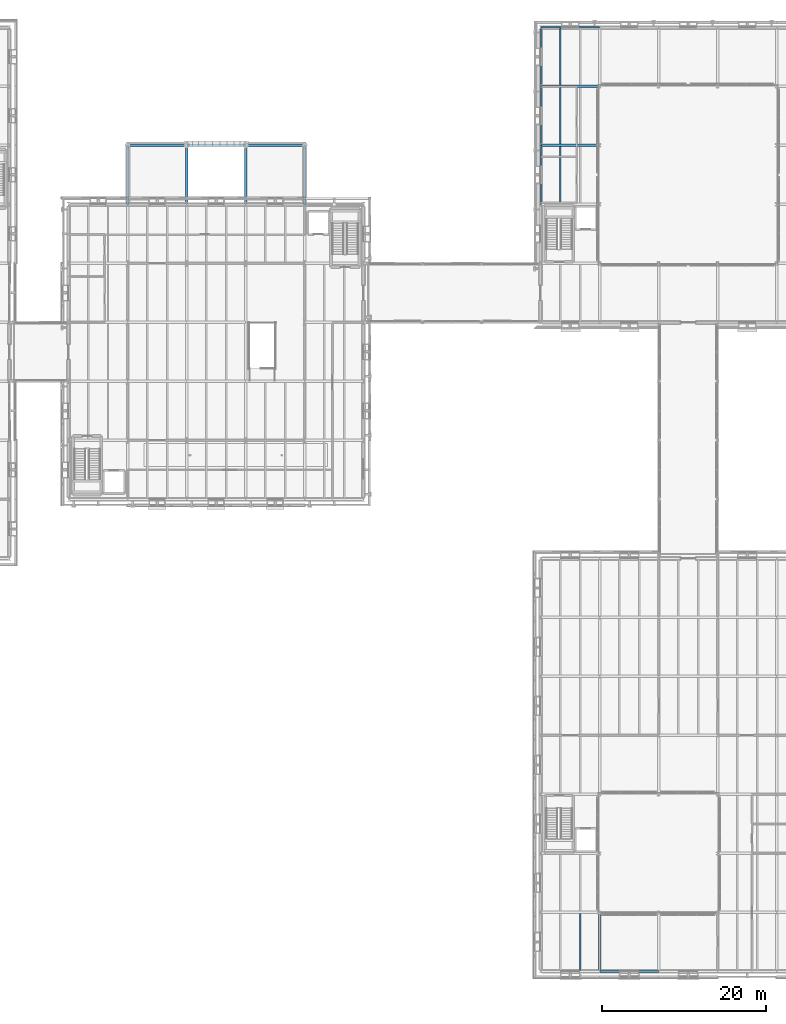
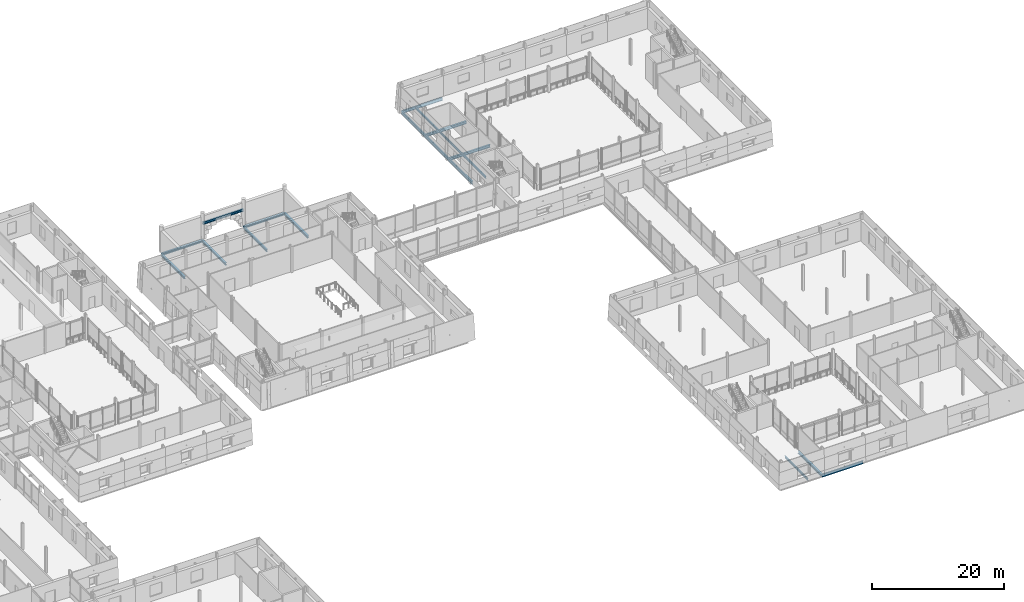
# One storey, part 37 of 121: 19 beams.
"""IFC4 building model written with IfcOpenShell, lengths in metres."""

from ifc_helpers import new_model, si_unit, direction, frame, origin, origin_2d, place, context, subcontext, project, spatial, i_section, extrude, material, material_profile, profile_set, type_object, element, save


model = new_model("IFC4")

# Units and contexts
model_context = context("Model", 3, precision=1e-05, world=origin(), true_north=direction((0.0, 1.0)))
body_context = subcontext(model_context, "Body", "Model", "MODEL_VIEW")
ifc_project = project(units=[si_unit("LENGTHUNIT", "METRE"), si_unit("AREAUNIT", "SQUARE_METRE"), si_unit("VOLUMEUNIT", "CUBIC_METRE"), si_unit("PLANEANGLEUNIT", "RADIAN"), si_unit("MASSUNIT", "GRAM", prefix="KILO")], contexts=[model_context])

# Site, building, storey
site_placement = place(None, origin())
site = spatial("IfcSite", under=ifc_project, at=site_placement, CompositionType="ELEMENT")
building_placement = place(site_placement, origin())
building = spatial("IfcBuilding", under=site, at=building_placement, Name="Narikvali Park Central Library", CompositionType="ELEMENT")
storey_placement = place(building_placement, frame((0.0, 0.0, 5.39990234375)))
storey = spatial("IfcBuildingStorey", under=building, at=storey_placement, Name="L01", CompositionType="ELEMENT", Elevation=5.39990234375)

# Beams
ifc_material = material(Name="Steel S355", Category="steel")
ifc_material_profile_1 = material_profile(ifc_material, i_section(OverallWidth=0.179931640625, OverallDepth=0.39990234375, WebThickness=0.008544921875, FlangeThickness=0.013427734375, FilletRadius=0.02099609375, at=origin_2d()), Name="IPE 400")
ifc_profile_set_1 = profile_set([ifc_material_profile_1], Name="Steel S355")
beam_type_1 = type_object("IfcBeamType", Name="Composite Floor Joist IPE400", PredefinedType="JOIST", material=ifc_profile_set_1)
beam_1_placement = place(storey_placement, frame((124.800048828125, 93.75, -0.47998046875), z_axis=(0.0, 1.0, 0.0), x_axis=(-1.0, 0.0, 0.0)))
element("IfcBeam", 1, at=beam_1_placement, inside=storey, type_object=beam_type_1, Name="V3 L01 Composite Joist 1", PredefinedType="JOIST", context=body_context, shape_type="SweptSolid", body=[
    extrude(i_section(OverallWidth=0.179931640625, OverallDepth=0.39990234375, WebThickness=0.008544921875, FlangeThickness=0.013427734375, FilletRadius=0.02099609375, at=origin_2d()), origin(), (0.0, 0.0, 1.0), 6.89990234375),
])
beam_2_placement = place(storey_placement, frame((124.800048828125, 100.949951171875, -0.47998046875), z_axis=(0.0, 1.0, 0.0), x_axis=(-1.0, 0.0, 0.0)))
element("IfcBeam", 2, at=beam_2_placement, inside=storey, type_object=beam_type_1, Name="V3 L01 Composite Joist 1", PredefinedType="JOIST", context=body_context, shape_type="SweptSolid", body=[
    extrude(i_section(OverallWidth=0.179931640625, OverallDepth=0.39990234375, WebThickness=0.008544921875, FlangeThickness=0.013427734375, FilletRadius=0.02099609375, at=origin_2d()), origin(), (0.0, 0.0, 1.0), 6.900146484375),
])
for number, where, z_axis, x_axis, name in (
    (3, (124.800048828125, 108.14990234375, -0.47998046875), (0.0, 1.0, 0.0), (-1.0, 0.0, 0.0), "V3 L01 Composite Joist 1"),
    (4, (127.199951171875, 0.10498046875, -0.47998046875), (0.0, 1.0, 0.0), (-1.0, 0.0, 0.0), "V6 L01 Composite Joist 2"),
):
    element("IfcBeam", number, at=place(storey_placement, frame(where, z_axis=z_axis, x_axis=x_axis)), inside=storey, type_object=beam_type_1, Name=name, PredefinedType="JOIST", context=body_context, shape_type="SweptSolid", body=[
        extrude(i_section(OverallWidth=0.179931640625, OverallDepth=0.39990234375, WebThickness=0.008544921875, FlangeThickness=0.013427734375, FilletRadius=0.02099609375, at=origin_2d()), origin(), (0.0, 0.0, 1.0), 6.945068359375),
    ])
ifc_material_profile_2 = material_profile(ifc_material, i_section(OverallWidth=0.2099609375, OverallDepth=0.550048828125, WebThickness=0.010986328125, FlangeThickness=0.01708984375, FilletRadius=0.02392578125, at=origin_2d()), Name="IPE 550")
ifc_profile_set_2 = profile_set([ifc_material_profile_2], Name="Steel S355")
beam_type_2 = type_object("IfcBeamType", Name="Perimeter Spandrel IPE550", PredefinedType="SPANDREL", material=ifc_profile_set_2)
for number, where, z_axis, x_axis, name in (
    (5, (122.407958984375, 115.199951171875, -0.554931640625), (1.0, 0.0, 0.0), (0.0, 1.0, 0.0), "V3 L01 Girder X"),
    (6, (122.39990234375, 93.60791015625, -0.554931640625), (0.0, 1.0, 0.0), (-1.0, 0.0, 0.0), "V3 L01 Girder Y"),
):
    element("IfcBeam", number, at=place(storey_placement, frame(where, z_axis=z_axis, x_axis=x_axis)), inside=storey, type_object=beam_type_2, Name=name, PredefinedType="SPANDREL", context=body_context, shape_type="SweptSolid", body=[
        extrude(i_section(OverallWidth=0.2099609375, OverallDepth=0.550048828125, WebThickness=0.010986328125, FlangeThickness=0.01708984375, FilletRadius=0.02392578125, at=origin_2d()), origin(), (0.0, 0.0, 1.0), 7.18408203125),
    ])
for number, where, z_axis, x_axis, name in (
    (7, (122.39990234375, 100.80810546875, -0.554931640625), (0.0, 1.0, 0.0), (-1.0, 0.0, 0.0), "V3 L01 Girder Y"),
    (8, (122.39990234375, 108.008056640625, -0.554931640625), (0.0, 1.0, 0.0), (-1.0, 0.0, 0.0), "V3 L01 Girder Y"),
):
    element("IfcBeam", number, at=place(storey_placement, frame(where, z_axis=z_axis, x_axis=x_axis)), inside=storey, type_object=beam_type_2, Name=name, PredefinedType="SPANDREL", context=body_context, shape_type="SweptSolid", body=[
        extrude(i_section(OverallWidth=0.2099609375, OverallDepth=0.550048828125, WebThickness=0.010986328125, FlangeThickness=0.01708984375, FilletRadius=0.02392578125, at=origin_2d()), origin(), (0.0, 0.0, 1.0), 7.183837890625),
    ])
beam_3_placement = place(storey_placement, frame((129.60791015625, 0.0, -0.554931640625), z_axis=(1.0, 0.0, 0.0), x_axis=(0.0, 1.0, 0.0)))
element("IfcBeam", 9, at=beam_3_placement, inside=storey, type_object=beam_type_2, Name="V6 L01 Girder X", PredefinedType="SPANDREL", context=body_context, shape_type="SweptSolid", body=[
    extrude(i_section(OverallWidth=0.2099609375, OverallDepth=0.550048828125, WebThickness=0.010986328125, FlangeThickness=0.01708984375, FilletRadius=0.02392578125, at=origin_2d()), origin(), (0.0, 0.0, 1.0), 7.18408203125),
])
ifc_material_profile_3 = material_profile(ifc_material, i_section(OverallWidth=0.300048828125, OverallDepth=0.43994140625, WebThickness=0.011474609375, FlangeThickness=0.02099609375, FilletRadius=0.027099609375, at=origin_2d()), Name="HEA 450")
ifc_profile_set_3 = profile_set([ifc_material_profile_3], Name="Steel S355")
beam_type_3 = type_object("IfcBeamType", Name="Primary Girder HEA450", PredefinedType="BEAM", material=ifc_profile_set_3)
beam_4_placement = place(storey_placement, frame((129.60009765625, 0.008056640625, -0.5), z_axis=(0.0, 1.0, 0.0), x_axis=(-1.0, 0.0, 0.0)))
element("IfcBeam", 10, at=beam_4_placement, inside=storey, type_object=beam_type_3, Name="V6 L01 Girder Y", PredefinedType="BEAM", context=body_context, shape_type="SweptSolid", body=[
    extrude(i_section(OverallWidth=0.300048828125, OverallDepth=0.43994140625, WebThickness=0.011474609375, FlangeThickness=0.02099609375, FilletRadius=0.027099609375, at=origin_2d()), origin(), (0.0, 0.0, 1.0), 7.183837890625),
])
beam_5_placement = place(storey_placement, frame((72.02001953125, 100.800048828125, -0.5), z_axis=(1.0, 0.0, 0.0), x_axis=(0.0, 1.0, 0.0)))
element("IfcBeam", 11, at=beam_5_placement, inside=storey, type_object=beam_type_3, Name="Entrance Arch Spandrel Girder L01", PredefinedType="BEAM", context=body_context, shape_type="SweptSolid", body=[
    extrude(i_section(OverallWidth=0.300048828125, OverallDepth=0.43994140625, WebThickness=0.011474609375, FlangeThickness=0.02099609375, FilletRadius=0.027099609375, at=origin_2d()), origin(), (0.0, 0.0, 1.0), 7.159912109375),
])
beam_6_placement = place(storey_placement, frame((86.419921875, 100.800048828125, -0.5), z_axis=(1.0, 0.0, 0.0), x_axis=(0.0, 1.0, 0.0)))
element("IfcBeam", 12, at=beam_6_placement, inside=storey, type_object=beam_type_3, Name="Entrance Arch Spandrel Girder L01", PredefinedType="BEAM", context=body_context, shape_type="SweptSolid", body=[
    extrude(i_section(OverallWidth=0.300048828125, OverallDepth=0.43994140625, WebThickness=0.011474609375, FlangeThickness=0.02099609375, FilletRadius=0.027099609375, at=origin_2d()), origin(), (0.0, 0.0, 1.0), 7.16015625),
])
for number, where, z_axis, x_axis, name in (
    (13, (72.0, 93.610107421875, -0.5), (0.0, 1.0, 0.0), (-1.0, 0.0, 0.0), "Entrance Arch Tie Girder L01"),
    (14, (79.199951171875, 93.610107421875, -0.5), (0.0, 1.0, 0.0), (-1.0, 0.0, 0.0), "Entrance Arch Tie Girder L01"),
    (15, (86.39990234375, 93.610107421875, -0.5), (0.0, 1.0, 0.0), (-1.0, 0.0, 0.0), "Entrance Arch Tie Girder L01"),
    (16, (93.60009765625, 93.610107421875, -0.5), (0.0, 1.0, 0.0), (-1.0, 0.0, 0.0), "Entrance Arch Tie Girder L01"),
):
    element("IfcBeam", number, at=place(storey_placement, frame(where, z_axis=z_axis, x_axis=x_axis)), inside=storey, type_object=beam_type_3, Name=name, PredefinedType="BEAM", context=body_context, shape_type="SweptSolid", body=[
        extrude(i_section(OverallWidth=0.300048828125, OverallDepth=0.43994140625, WebThickness=0.011474609375, FlangeThickness=0.02099609375, FilletRadius=0.027099609375, at=origin_2d()), origin(), (0.0, 0.0, 1.0), 7.169921875),
    ])
beam_7_placement = place(storey_placement, frame((79.219970703125, 100.800048828125, 2.72998046875), z_axis=(1.0, 0.0, 0.0), x_axis=(0.0, 1.0, 0.0)))
element("IfcBeam", 17, at=beam_7_placement, inside=storey, type_object=beam_type_3, Name="Entrance Arch Attic Support Girder", PredefinedType="BEAM", context=body_context, shape_type="SweptSolid", body=[
    extrude(i_section(OverallWidth=0.300048828125, OverallDepth=0.43994140625, WebThickness=0.011474609375, FlangeThickness=0.02099609375, FilletRadius=0.027099609375, at=origin_2d()), origin(), (0.0, 0.0, 1.0), 7.159912109375),
])
ifc_material_profile_4 = material_profile(ifc_material, i_section(OverallWidth=0.300048828125, OverallDepth=0.489990234375, WebThickness=0.011962890625, FlangeThickness=0.02294921875, FilletRadius=0.027099609375, at=origin_2d()), Name="HEA 500")
ifc_profile_set_4 = profile_set([ifc_material_profile_4], Name="Steel S355")
beam_type_4 = type_object("IfcBeamType", Name="Primary Girder HEA500", PredefinedType="BEAM", material=ifc_profile_set_4)
for number, where, z_axis, x_axis, name in (
    (18, (122.407958984375, 100.800048828125, -0.52490234375), (1.0, 0.0, 0.0), (0.0, 1.0, 0.0), "V3 L01 Girder X"),
    (19, (122.407958984375, 108.0, -0.52490234375), (1.0, 0.0, 0.0), (0.0, 1.0, 0.0), "V3 L01 Girder X"),
):
    element("IfcBeam", number, at=place(storey_placement, frame(where, z_axis=z_axis, x_axis=x_axis)), inside=storey, type_object=beam_type_4, Name=name, PredefinedType="BEAM", context=body_context, shape_type="SweptSolid", body=[
        extrude(i_section(OverallWidth=0.300048828125, OverallDepth=0.489990234375, WebThickness=0.011962890625, FlangeThickness=0.02294921875, FilletRadius=0.027099609375, at=origin_2d()), origin(), (0.0, 0.0, 1.0), 7.18408203125),
    ])

save(model, "model.ifc")
